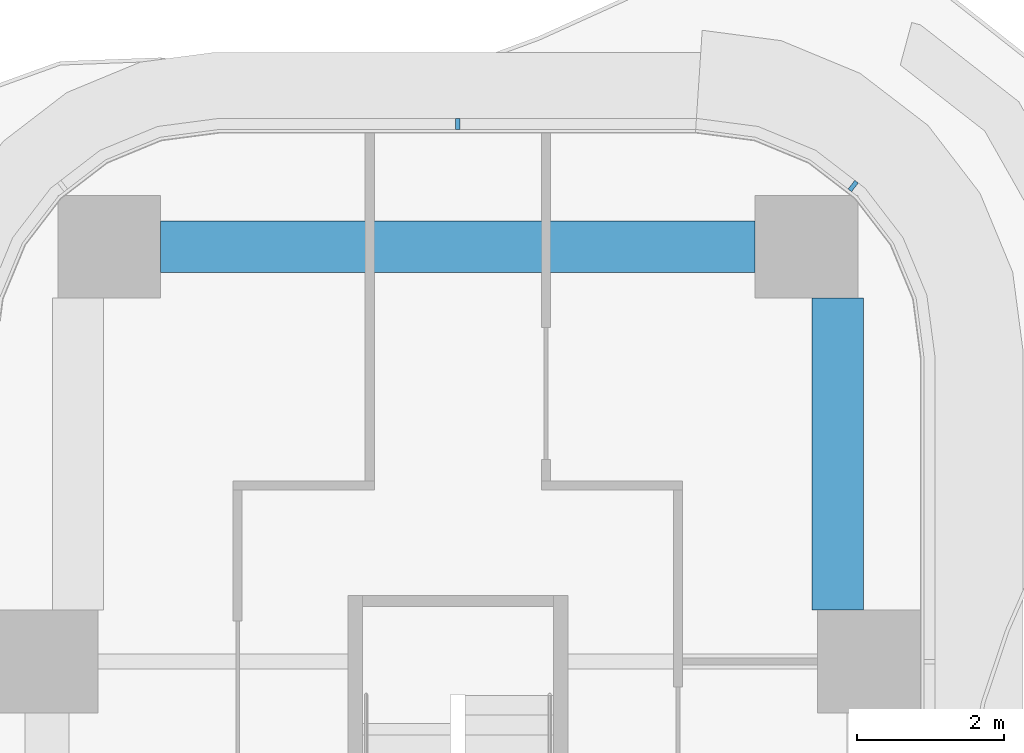
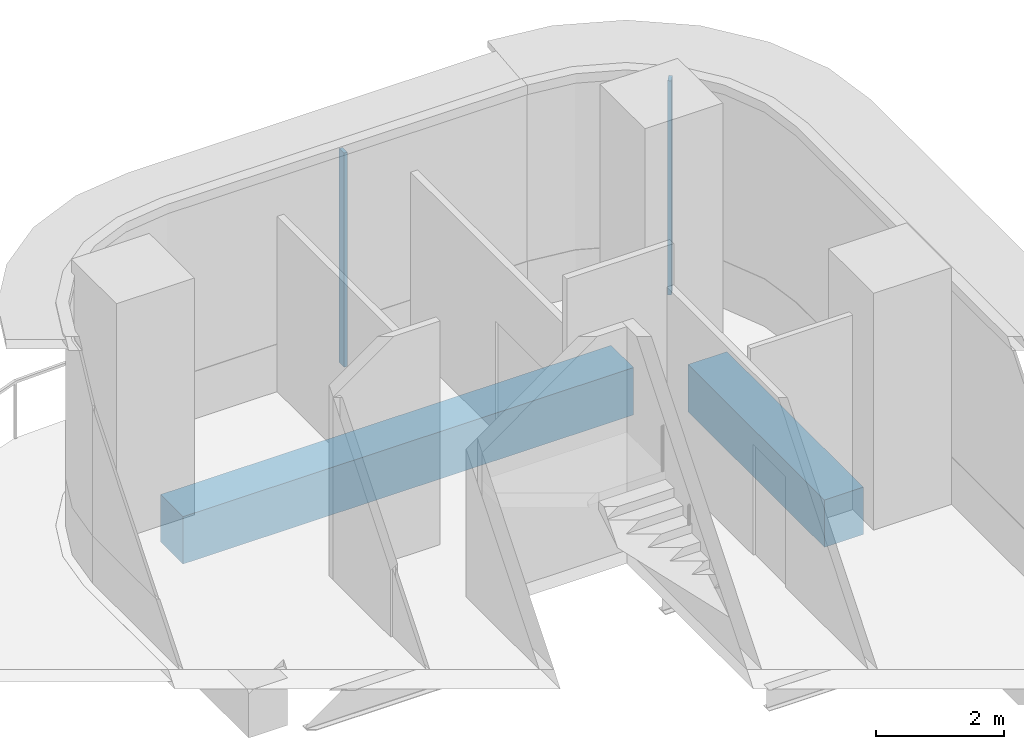
# One storey, part 12 of 22: 2 beams, 2 members, 2 elements without a shape of their own.
"""IFC4 building model written with IfcOpenShell, lengths in metres."""

import ifcopenshell
import ifcopenshell.guid

model = None  # the IFC model being written
_history = None  # IfcOwnerHistory: only IFC2X3 demands one
_inside = {}  # id of a spatial element -> (the spatial element, [elements in it])
_under = {}  # id of a project, library or spatial element -> (it, [spatial elements below it])
_declared = {}  # id of a project -> (the project, [libraries it declares])
_typed = {}  # id of a type object -> (the type object, [elements of that type])
_made_of = {}  # id of a material, layer set ... -> (it, [elements and type objects made of it])


def new_model(schema):
    """Start an empty IFC model of exactly this schema.

    Asked for "IFC4X3", IfcOpenShell would pick the latest addendum, in which some entities
    have other attributes; the version numbers below select the first issue.
    IFC2X3 requires an IfcOwnerHistory on every rooted entity: one is made here for all.
    """
    global model, _history
    if schema == "IFC4X3":
        model = ifcopenshell.file(schema_version=(4, 3, 0, 0))
    else:
        model = ifcopenshell.file(schema=schema)
    _inside.clear()
    _under.clear()
    _declared.clear()
    _typed.clear()
    _made_of.clear()
    _history = None
    if model.schema == "IFC2X3":
        org = make("IfcOrganization", Name="unknown")
        user = make(
            "IfcPersonAndOrganization",
            ThePerson=make("IfcPerson", FamilyName="unknown"),
            TheOrganization=org,
        )
        app = make(
            "IfcApplication",
            ApplicationDeveloper=org,
            Version="unknown",
            ApplicationFullName="unknown",
            ApplicationIdentifier="unknown",
        )
        _history = make(
            "IfcOwnerHistory",
            OwningUser=user,
            OwningApplication=app,
            ChangeAction="ADDED",
            CreationDate=0,
        )
    return model


def make(cls, **values):
    """One entity of the class cls with the attributes given. An attribute that is None is left unset."""
    return model.create_entity(
        cls, **{name: value for name, value in values.items() if value is not None}
    )


def rooted(cls, **values):
    """An entity with a GlobalId (a new one), such as an element, a storey or a relation."""
    return make(cls, GlobalId=ifcopenshell.guid.new(), OwnerHistory=_history, **values)


def si_unit(unit_type, name, prefix=None):
    """IfcSIUnit, for example si_unit("LENGTHUNIT", "METRE", prefix="MILLI")."""
    return make("IfcSIUnit", UnitType=unit_type, Prefix=prefix, Name=name)


def assignment(units):
    """IfcUnitAssignment: the units of a project."""
    return None if units is None else make("IfcUnitAssignment", Units=units)


def point(xyz):
    """IfcCartesianPoint."""
    return None if xyz is None else make("IfcCartesianPoint", Coordinates=xyz)


def direction(xyz):
    """IfcDirection."""
    return None if xyz is None else make("IfcDirection", DirectionRatios=xyz)


def frame(location, z_axis=None, x_axis=None):
    """IfcAxis2Placement3D, a coordinate frame: its origin and axes. An axis left out is left unset."""
    return make(
        "IfcAxis2Placement3D",
        Location=point(location),
        Axis=direction(z_axis),
        RefDirection=direction(x_axis),
    )


def frame_2d(location, x_axis=None):
    """IfcAxis2Placement2D, a coordinate frame in the plane: its origin and x axis."""
    return make(
        "IfcAxis2Placement2D", Location=point(location), RefDirection=direction(x_axis)
    )


def origin():
    """The frame at (0, 0, 0) with its axes left unset."""
    return frame((0.0, 0.0, 0.0))


def origin_2d():
    """The frame at (0, 0) in the plane with its x axis left unset."""
    return frame_2d((0.0, 0.0))


def place(relative_to, where):
    """IfcLocalPlacement: puts the frame where relative to a parent placement (None: the world)."""
    return make(
        "IfcLocalPlacement", PlacementRelTo=relative_to, RelativePlacement=where
    )


def context(
    kind, dimensions, precision=None, world=None, true_north=None, identifier=None
):
    """IfcGeometricRepresentationContext, for example the 3D "Model" context."""
    return make(
        "IfcGeometricRepresentationContext",
        ContextIdentifier=identifier,
        ContextType=kind,
        CoordinateSpaceDimension=dimensions,
        Precision=precision,
        WorldCoordinateSystem=world,
        TrueNorth=true_north,
    )


def subcontext(parent, identifier, kind, view, scale=None):
    """IfcGeometricRepresentationSubContext, for example "Body" below "Model"."""
    return make(
        "IfcGeometricRepresentationSubContext",
        ContextIdentifier=identifier,
        ContextType=kind,
        ParentContext=parent,
        TargetScale=scale,
        TargetView=view,
    )


def project(units=None, contexts=None):
    """IfcProject with its units and contexts."""
    return rooted(
        "IfcProject",
        Name="project",
        RepresentationContexts=contexts,
        UnitsInContext=assignment(units),
    )


def spatial(cls, under=None, at=None, **own):
    """A site, building, storey or space (cls), placed at a placement, below another one or the project."""
    s = rooted(cls, ObjectPlacement=at, **own)
    if under is not None:
        _under.setdefault(under.id(), (under, []))[1].append(s)
    return s


def profile(cls, at=None, kind="AREA", **sizes):
    """A parametric profile (cls). Its sizes go by their IFC names, for example OverallWidth=200.0."""
    return make(cls, ProfileType=kind, Position=at, **sizes)


def rectangle(**sizes):
    """IfcRectangleProfileDef."""
    return profile("IfcRectangleProfileDef", **sizes)


def extrude(swept, where, along, depth):
    """IfcExtrudedAreaSolid: the profile swept, set in the frame where, extruded along a direction by depth."""
    return make(
        "IfcExtrudedAreaSolid",
        SweptArea=swept,
        Position=where,
        ExtrudedDirection=direction(along),
        Depth=depth,
    )


def shape(context_of_items, identifier, shape_type, items):
    """IfcShapeRepresentation: the items that make up one representation, for example the "Body"."""
    return make(
        "IfcShapeRepresentation",
        ContextOfItems=context_of_items,
        RepresentationIdentifier=identifier,
        RepresentationType=shape_type,
        Items=items,
    )


def source(mapping_origin, context_of_items, identifier, shape_type, items):
    """IfcRepresentationMap: a shape defined once, which mapped items show again and again."""
    return make(
        "IfcRepresentationMap",
        MappingOrigin=mapping_origin,
        MappedRepresentation=shape(context_of_items, identifier, shape_type, items),
    )


def transform(
    local_origin,
    x_axis=None,
    y_axis=None,
    z_axis=None,
    scale=None,
    scale2=None,
    scale3=None,
    uniform=True,
):
    """IfcCartesianTransformationOperator3D, or its non-uniform kind. x_axis, y_axis, z_axis: its Axis1, 2, 3."""
    if uniform:
        return make(
            "IfcCartesianTransformationOperator3D",
            Axis1=direction(x_axis),
            Axis2=direction(y_axis),
            LocalOrigin=point(local_origin),
            Scale=scale,
            Axis3=direction(z_axis),
        )
    return make(
        "IfcCartesianTransformationOperator3DnonUniform",
        Axis1=direction(x_axis),
        Axis2=direction(y_axis),
        LocalOrigin=point(local_origin),
        Scale=scale,
        Axis3=direction(z_axis),
        Scale2=scale2,
        Scale3=scale3,
    )


def mapped(mapping_source, mapping_target):
    """IfcMappedItem: shows the shape of a source again, moved by a transform."""
    return make(
        "IfcMappedItem", MappingSource=mapping_source, MappingTarget=mapping_target
    )


def material(Name=None, Category=None):
    """IfcMaterial."""
    return make("IfcMaterial", Name=Name, Category=Category)


def layer(
    of_material, thickness, ventilated=None, Name=None, Category=None, Priority=None
):
    """IfcMaterialLayer: one layer of a wall or slab, of a material (None: an air gap)."""
    return make(
        "IfcMaterialLayer",
        Material=of_material,
        LayerThickness=thickness,
        IsVentilated=ventilated,
        Name=Name,
        Category=Category,
        Priority=Priority,
    )


def layer_set(layers, Name=None):
    """IfcMaterialLayerSet."""
    return make("IfcMaterialLayerSet", MaterialLayers=layers, LayerSetName=Name)


def material_profile(
    of_material, cross_section, Name=None, Category=None, Priority=None
):
    """IfcMaterialProfile: a cross section and its material."""
    return make(
        "IfcMaterialProfile",
        Name=Name,
        Material=of_material,
        Profile=cross_section,
        Priority=Priority,
        Category=Category,
    )


def profile_set(profiles, Name=None, composite=None):
    """IfcMaterialProfileSet."""
    return make(
        "IfcMaterialProfileSet",
        Name=Name,
        MaterialProfiles=profiles,
        CompositeProfile=composite,
    )


def made_of(thing, what):
    """Note that an element or type object is made of a material, layer set ...; save() writes the relation."""
    if what is not None:
        _made_of.setdefault(what.id(), (what, []))[1].append(thing)
    return thing


def type_object(cls, material=None, **own):
    """A type object (cls), such as IfcWallType, which elements share."""
    return made_of(rooted(cls, **own), material)


def element(
    cls,
    number,
    at=None,
    inside=None,
    cuts=None,
    type_object=None,
    material=None,
    context=None,
    identifier="Body",
    shape_type=None,
    held_by="IfcProductDefinitionShape",
    body=None,
    shapes=None,
    **own,
):
    """One element of the class cls, such as IfcWall. Its Tag is "e" and its number.

    at: its placement. inside: the storey or other place that contains it. cuts: it is an
    opening in that element (IfcRelVoidsElement). A single representation is given by context,
    identifier, shape_type and body (its items); several are given by shapes. held_by: the class
    of the entity that holds the representations. save() writes the other relations.
    """
    e = rooted(cls, Tag="e%d" % number, ObjectPlacement=at, **own)
    if body is not None:
        shapes = [shape(context, identifier, shape_type, body)]
    if shapes is not None:
        e.Representation = make(held_by, Representations=shapes)
    if inside is not None:
        _inside.setdefault(inside.id(), (inside, []))[1].append(e)
    if cuts is not None:
        rooted(
            "IfcRelVoidsElement", RelatingBuildingElement=cuts, RelatedOpeningElement=e
        )
    if type_object is not None:
        _typed.setdefault(type_object.id(), (type_object, []))[1].append(e)
    return made_of(e, material)


def aggregate(whole, parts):
    """IfcRelAggregates: a whole, such as a stair, and the parts it consists of."""
    return rooted("IfcRelAggregates", RelatingObject=whole, RelatedObjects=parts)


def save(model, path):
    """Write the relations noted so far, then the file.

    IfcRelAggregates (storeys below a building ...), IfcRelContainedInSpatialStructure (elements
    in a storey), IfcRelDefinesByType, IfcRelAssociatesMaterial and IfcRelDeclares: one each for
    every whole, place, type object, material and project.
    """
    for whole, parts in _under.values():
        aggregate(whole, parts)
    for where, things in _inside.values():
        rooted(
            "IfcRelContainedInSpatialStructure",
            RelatedElements=things,
            RelatingStructure=where,
        )
    for kind, things in _typed.values():
        rooted("IfcRelDefinesByType", RelatedObjects=things, RelatingType=kind)
    for what, things in _made_of.values():
        rooted("IfcRelAssociatesMaterial", RelatedObjects=things, RelatingMaterial=what)
    for by, libraries in _declared.values():
        rooted("IfcRelDeclares", RelatingContext=by, RelatedDefinitions=libraries)
    model.write(path)


model = new_model("IFC4")

# Units and contexts
model_context = context("Model", 3, precision=1e-05, world=origin(), true_north=direction((0.0, 1.0)))
body_context = subcontext(model_context, "Body", "Model", "MODEL_VIEW")
ifc_project = project(units=[si_unit("LENGTHUNIT", "METRE"), si_unit("AREAUNIT", "SQUARE_METRE"), si_unit("VOLUMEUNIT", "CUBIC_METRE"), si_unit("PLANEANGLEUNIT", "RADIAN"), si_unit("MASSUNIT", "GRAM", prefix="KILO")], contexts=[model_context])

# Site, building, storey
site_placement = place(None, origin())
site = spatial("IfcSite", under=ifc_project, at=site_placement, CompositionType="ELEMENT")
building_placement = place(site_placement, origin())
building = spatial("IfcBuilding", under=site, at=building_placement, Name="Trellis Farm Tower", CompositionType="ELEMENT")
storey_placement = place(building_placement, frame((0.0, 0.0, 79.0)))
storey = spatial("IfcBuildingStorey", under=building, at=storey_placement, Name="L16", CompositionType="ELEMENT", Elevation=79.0)

# Beams
ifc_material_1 = material(Name="Concrete C60/75", Category="concrete")
ifc_material_profile_1 = material_profile(ifc_material_1, rectangle(XDim=0.699951171875, YDim=0.89990234375, at=origin_2d()), Name="RC spandrel beam 700x900 C60/75")
ifc_profile_set_1 = profile_set([ifc_material_profile_1], Name="Concrete C60/75")
beam_type = type_object("IfcBeamType", Name="RC spandrel beam 700x900 C60/75", PredefinedType="SPANDREL", material=ifc_profile_set_1)
shared_shape_1 = source(origin(), body_context, "Body", "SweptSolid", [
    extrude(rectangle(XDim=0.699951171875, YDim=0.89990234375, at=origin_2d()), origin(), (0.0, 0.0, 1.0), 4.25),
])
beam_1_placement = place(storey_placement, frame((5.175048828125, 19.300048828125, -0.699951171875), z_axis=(0.0, 1.0, 0.0), x_axis=(-1.0, 0.0, 0.0)))
element("IfcBeam", 1, at=beam_1_placement, inside=storey, type_object=beam_type, Name="Girder", PredefinedType="SPANDREL", context=body_context, shape_type="MappedRepresentation", body=[
    mapped(shared_shape_1, transform((0.0, 0.0, 0.0))),
])
shared_shape_2 = source(origin(), body_context, "Body", "SweptSolid", [
    extrude(rectangle(XDim=0.699951171875, YDim=0.89990234375, at=origin_2d()), origin(), (0.0, 0.0, 1.0), 8.10009765625),
])
beam_2_placement = place(storey_placement, frame((-4.050048828125, 24.25, -0.699951171875), z_axis=(1.0, 0.0, 0.0), x_axis=(0.0, 1.0, 0.0)))
element("IfcBeam", 2, at=beam_2_placement, inside=storey, type_object=beam_type, Name="Girder", PredefinedType="SPANDREL", context=body_context, shape_type="MappedRepresentation", body=[
    mapped(shared_shape_2, transform((0.0, 0.0, 0.0))),
])

# Curtain wall, member
ifc_material_2 = material(Name="Aluminium and glass curtain wall", Category="aluminium")
ifc_layer = layer(ifc_material_2, 0.18994140625)
ifc_layer_set = layer_set([ifc_layer], Name="RIBBON CURTAIN WALL CW1")
curtain_wall_type = type_object("IfcCurtainWallType", Name="RIBBON CURTAIN WALL CW1", PredefinedType="NOTDEFINED", material=ifc_layer_set)
placement = place(storey_placement, origin())
curtain_wall_1 = element("IfcCurtainWall", 3, at=placement, inside=storey, type_object=curtain_wall_type, Name="CW1 009", PredefinedType="NOTDEFINED")
ifc_material_3 = material(Name="Aluminium extrusion 6063-T6", Category="aluminium")
ifc_material_profile_2 = material_profile(ifc_material_3, rectangle(XDim=0.06005859375, YDim=0.14990234375, at=origin_2d()), Name="MULLION 60x150")
ifc_profile_set_2 = profile_set([ifc_material_profile_2], Name="Aluminium extrusion 6063-T6")
member_type = type_object("IfcMemberType", Name="CW1 MULLION 60x150", PredefinedType="MULLION", material=ifc_profile_set_2)
shared_shape_3 = source(origin(), body_context, "Body", "SweptSolid", [
    extrude(rectangle(XDim=0.06005859375, YDim=0.14990234375, at=origin_2d()), origin(), (0.0, 0.0, 1.0), 4.070068359375),
])
member_1_placement = place(storey_placement, frame((5.385498046875, 25.078369140625, 0.0), z_axis=(0.0, 0.0, 1.0), x_axis=(-0.793353340291, 0.608761429009, 0.0)))
member_1 = element("IfcMember", 4, at=member_1_placement, type_object=member_type, Name="MU1 009-03", PredefinedType="MULLION", context=body_context, shape_type="MappedRepresentation", body=[
    mapped(shared_shape_3, transform((0.0, 0.0, 0.0))),
])
aggregate(curtain_wall_1, [member_1])

curtain_wall_2 = element("IfcCurtainWall", 5, at=placement, inside=storey, type_object=curtain_wall_type, Name="CW1 010", PredefinedType="NOTDEFINED")
member_2_placement = place(storey_placement, frame((0.0, 25.925048828125, 0.0), z_axis=(0.0, 0.0, 1.0), x_axis=(-1.0, 0.0, 0.0)))
member_2 = element("IfcMember", 6, at=member_2_placement, type_object=member_type, Name="MU1 010-01", PredefinedType="MULLION", context=body_context, shape_type="MappedRepresentation", body=[
    mapped(shared_shape_3, transform((0.0, 0.0, 0.0))),
])
aggregate(curtain_wall_2, [member_2])

save(model, "model.ifc")
